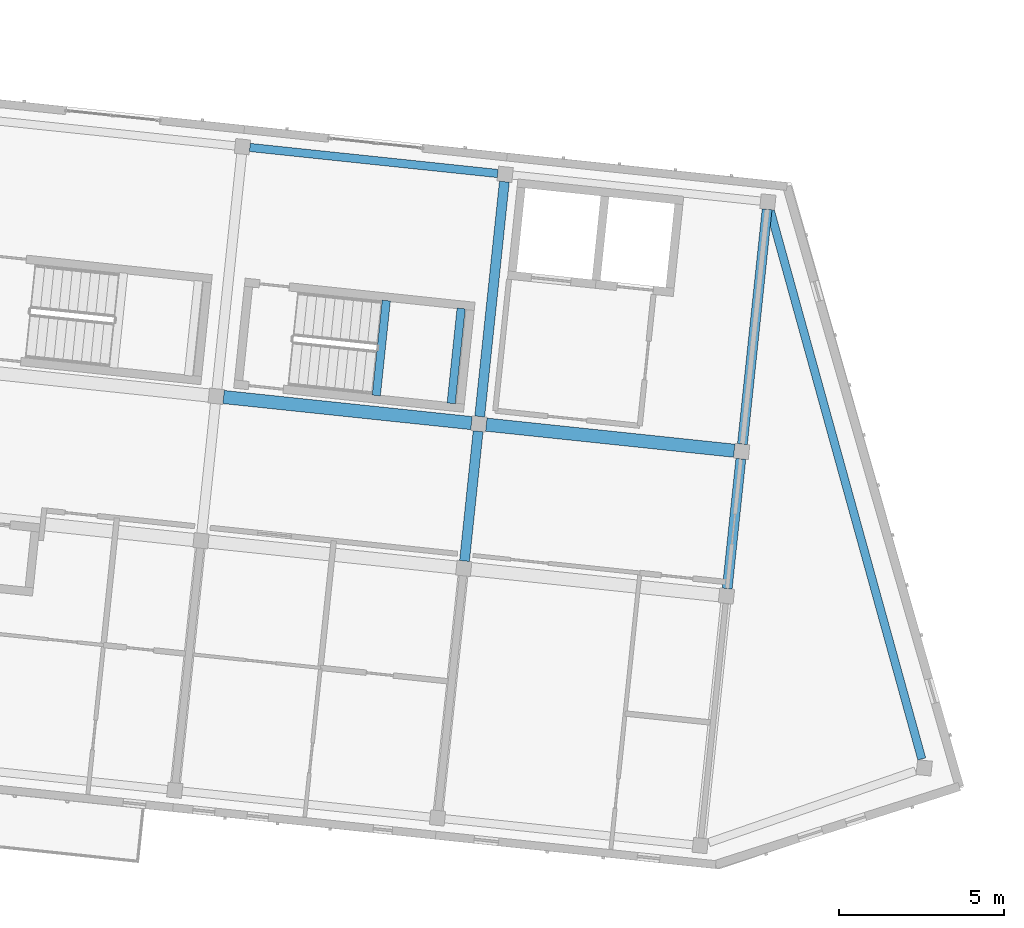
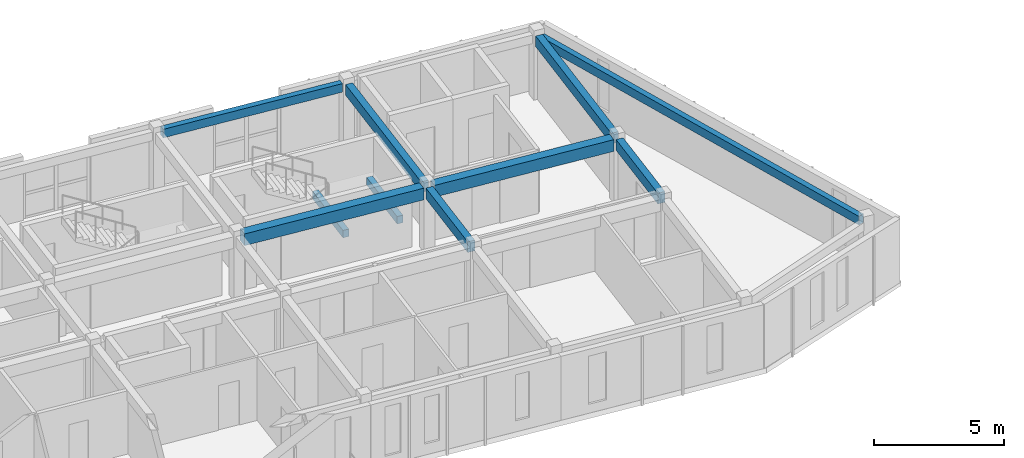
# One storey, part 15 of 64: 10 beams.
"""IFC4 building model written with IfcOpenShell, lengths in metres."""

import ifcopenshell
import ifcopenshell.guid

model = None  # the IFC model being written
_history = None  # IfcOwnerHistory: only IFC2X3 demands one
_inside = {}  # id of a spatial element -> (the spatial element, [elements in it])
_under = {}  # id of a project, library or spatial element -> (it, [spatial elements below it])
_declared = {}  # id of a project -> (the project, [libraries it declares])
_typed = {}  # id of a type object -> (the type object, [elements of that type])
_made_of = {}  # id of a material, layer set ... -> (it, [elements and type objects made of it])


def new_model(schema):
    """Start an empty IFC model of exactly this schema.

    Asked for "IFC4X3", IfcOpenShell would pick the latest addendum, in which some entities
    have other attributes; the version numbers below select the first issue.
    IFC2X3 requires an IfcOwnerHistory on every rooted entity: one is made here for all.
    """
    global model, _history
    if schema == "IFC4X3":
        model = ifcopenshell.file(schema_version=(4, 3, 0, 0))
    else:
        model = ifcopenshell.file(schema=schema)
    _inside.clear()
    _under.clear()
    _declared.clear()
    _typed.clear()
    _made_of.clear()
    _history = None
    if model.schema == "IFC2X3":
        org = make("IfcOrganization", Name="unknown")
        user = make(
            "IfcPersonAndOrganization",
            ThePerson=make("IfcPerson", FamilyName="unknown"),
            TheOrganization=org,
        )
        app = make(
            "IfcApplication",
            ApplicationDeveloper=org,
            Version="unknown",
            ApplicationFullName="unknown",
            ApplicationIdentifier="unknown",
        )
        _history = make(
            "IfcOwnerHistory",
            OwningUser=user,
            OwningApplication=app,
            ChangeAction="ADDED",
            CreationDate=0,
        )
    return model


def make(cls, **values):
    """One entity of the class cls with the attributes given. An attribute that is None is left unset."""
    return model.create_entity(
        cls, **{name: value for name, value in values.items() if value is not None}
    )


def rooted(cls, **values):
    """An entity with a GlobalId (a new one), such as an element, a storey or a relation."""
    return make(cls, GlobalId=ifcopenshell.guid.new(), OwnerHistory=_history, **values)


def si_unit(unit_type, name, prefix=None):
    """IfcSIUnit, for example si_unit("LENGTHUNIT", "METRE", prefix="MILLI")."""
    return make("IfcSIUnit", UnitType=unit_type, Prefix=prefix, Name=name)


def assignment(units):
    """IfcUnitAssignment: the units of a project."""
    return None if units is None else make("IfcUnitAssignment", Units=units)


def point(xyz):
    """IfcCartesianPoint."""
    return None if xyz is None else make("IfcCartesianPoint", Coordinates=xyz)


def direction(xyz):
    """IfcDirection."""
    return None if xyz is None else make("IfcDirection", DirectionRatios=xyz)


def frame(location, z_axis=None, x_axis=None):
    """IfcAxis2Placement3D, a coordinate frame: its origin and axes. An axis left out is left unset."""
    return make(
        "IfcAxis2Placement3D",
        Location=point(location),
        Axis=direction(z_axis),
        RefDirection=direction(x_axis),
    )


def frame_2d(location, x_axis=None):
    """IfcAxis2Placement2D, a coordinate frame in the plane: its origin and x axis."""
    return make(
        "IfcAxis2Placement2D", Location=point(location), RefDirection=direction(x_axis)
    )


def origin():
    """The frame at (0, 0, 0) with its axes left unset."""
    return frame((0.0, 0.0, 0.0))


def origin_2d():
    """The frame at (0, 0) in the plane with its x axis left unset."""
    return frame_2d((0.0, 0.0))


def place(relative_to, where):
    """IfcLocalPlacement: puts the frame where relative to a parent placement (None: the world)."""
    return make(
        "IfcLocalPlacement", PlacementRelTo=relative_to, RelativePlacement=where
    )


def context(
    kind, dimensions, precision=None, world=None, true_north=None, identifier=None
):
    """IfcGeometricRepresentationContext, for example the 3D "Model" context."""
    return make(
        "IfcGeometricRepresentationContext",
        ContextIdentifier=identifier,
        ContextType=kind,
        CoordinateSpaceDimension=dimensions,
        Precision=precision,
        WorldCoordinateSystem=world,
        TrueNorth=true_north,
    )


def subcontext(parent, identifier, kind, view, scale=None):
    """IfcGeometricRepresentationSubContext, for example "Body" below "Model"."""
    return make(
        "IfcGeometricRepresentationSubContext",
        ContextIdentifier=identifier,
        ContextType=kind,
        ParentContext=parent,
        TargetScale=scale,
        TargetView=view,
    )


def project(units=None, contexts=None):
    """IfcProject with its units and contexts."""
    return rooted(
        "IfcProject",
        Name="project",
        RepresentationContexts=contexts,
        UnitsInContext=assignment(units),
    )


def spatial(cls, under=None, at=None, **own):
    """A site, building, storey or space (cls), placed at a placement, below another one or the project."""
    s = rooted(cls, ObjectPlacement=at, **own)
    if under is not None:
        _under.setdefault(under.id(), (under, []))[1].append(s)
    return s


def profile(cls, at=None, kind="AREA", **sizes):
    """A parametric profile (cls). Its sizes go by their IFC names, for example OverallWidth=200.0."""
    return make(cls, ProfileType=kind, Position=at, **sizes)


def rectangle(**sizes):
    """IfcRectangleProfileDef."""
    return profile("IfcRectangleProfileDef", **sizes)


def extrude(swept, where, along, depth):
    """IfcExtrudedAreaSolid: the profile swept, set in the frame where, extruded along a direction by depth."""
    return make(
        "IfcExtrudedAreaSolid",
        SweptArea=swept,
        Position=where,
        ExtrudedDirection=direction(along),
        Depth=depth,
    )


def shape(context_of_items, identifier, shape_type, items):
    """IfcShapeRepresentation: the items that make up one representation, for example the "Body"."""
    return make(
        "IfcShapeRepresentation",
        ContextOfItems=context_of_items,
        RepresentationIdentifier=identifier,
        RepresentationType=shape_type,
        Items=items,
    )


def material(Name=None, Category=None):
    """IfcMaterial."""
    return make("IfcMaterial", Name=Name, Category=Category)


def material_profile(
    of_material, cross_section, Name=None, Category=None, Priority=None
):
    """IfcMaterialProfile: a cross section and its material."""
    return make(
        "IfcMaterialProfile",
        Name=Name,
        Material=of_material,
        Profile=cross_section,
        Priority=Priority,
        Category=Category,
    )


def profile_set(profiles, Name=None, composite=None):
    """IfcMaterialProfileSet."""
    return make(
        "IfcMaterialProfileSet",
        Name=Name,
        MaterialProfiles=profiles,
        CompositeProfile=composite,
    )


def made_of(thing, what):
    """Note that an element or type object is made of a material, layer set ...; save() writes the relation."""
    if what is not None:
        _made_of.setdefault(what.id(), (what, []))[1].append(thing)
    return thing


def type_object(cls, material=None, **own):
    """A type object (cls), such as IfcWallType, which elements share."""
    return made_of(rooted(cls, **own), material)


def element(
    cls,
    number,
    at=None,
    inside=None,
    cuts=None,
    type_object=None,
    material=None,
    context=None,
    identifier="Body",
    shape_type=None,
    held_by="IfcProductDefinitionShape",
    body=None,
    shapes=None,
    **own,
):
    """One element of the class cls, such as IfcWall. Its Tag is "e" and its number.

    at: its placement. inside: the storey or other place that contains it. cuts: it is an
    opening in that element (IfcRelVoidsElement). A single representation is given by context,
    identifier, shape_type and body (its items); several are given by shapes. held_by: the class
    of the entity that holds the representations. save() writes the other relations.
    """
    e = rooted(cls, Tag="e%d" % number, ObjectPlacement=at, **own)
    if body is not None:
        shapes = [shape(context, identifier, shape_type, body)]
    if shapes is not None:
        e.Representation = make(held_by, Representations=shapes)
    if inside is not None:
        _inside.setdefault(inside.id(), (inside, []))[1].append(e)
    if cuts is not None:
        rooted(
            "IfcRelVoidsElement", RelatingBuildingElement=cuts, RelatedOpeningElement=e
        )
    if type_object is not None:
        _typed.setdefault(type_object.id(), (type_object, []))[1].append(e)
    return made_of(e, material)


def aggregate(whole, parts):
    """IfcRelAggregates: a whole, such as a stair, and the parts it consists of."""
    return rooted("IfcRelAggregates", RelatingObject=whole, RelatedObjects=parts)


def save(model, path):
    """Write the relations noted so far, then the file.

    IfcRelAggregates (storeys below a building ...), IfcRelContainedInSpatialStructure (elements
    in a storey), IfcRelDefinesByType, IfcRelAssociatesMaterial and IfcRelDeclares: one each for
    every whole, place, type object, material and project.
    """
    for whole, parts in _under.values():
        aggregate(whole, parts)
    for where, things in _inside.values():
        rooted(
            "IfcRelContainedInSpatialStructure",
            RelatedElements=things,
            RelatingStructure=where,
        )
    for kind, things in _typed.values():
        rooted("IfcRelDefinesByType", RelatedObjects=things, RelatingType=kind)
    for what, things in _made_of.values():
        rooted("IfcRelAssociatesMaterial", RelatedObjects=things, RelatingMaterial=what)
    for by, libraries in _declared.values():
        rooted("IfcRelDeclares", RelatingContext=by, RelatedDefinitions=libraries)
    model.write(path)


model = new_model("IFC4")

# Units and contexts
model_context = context("Model", 3, precision=1e-05, world=origin(), true_north=direction((0.0, 1.0)))
body_context = subcontext(model_context, "Body", "Model", "MODEL_VIEW")
ifc_project = project(units=[si_unit("LENGTHUNIT", "METRE"), si_unit("AREAUNIT", "SQUARE_METRE"), si_unit("VOLUMEUNIT", "CUBIC_METRE"), si_unit("PLANEANGLEUNIT", "RADIAN"), si_unit("MASSUNIT", "GRAM", prefix="KILO")], contexts=[model_context])

# Site, building, storey
site_placement = place(None, origin())
site = spatial("IfcSite", under=ifc_project, at=site_placement, CompositionType="ELEMENT")
building_placement = place(site_placement, origin())
building = spatial("IfcBuilding", under=site, at=building_placement, Name="Kestramere Prow Commons", CompositionType="ELEMENT")
storey_placement = place(building_placement, frame((0.0, 0.0, 24.64990234375)))
storey = spatial("IfcBuildingStorey", under=building, at=storey_placement, Name="L07", CompositionType="ELEMENT", Elevation=24.64990234375)

# Beams
ifc_material_1 = material(Name="Precast concrete C40/50", Category="concrete")
ifc_material_profile_1 = material_profile(ifc_material_1, rectangle(XDim=0.39990234375, YDim=0.550048828125, at=origin_2d()), Name="PC-BM 400x550")
ifc_profile_set_1 = profile_set([ifc_material_profile_1], Name="Precast concrete C40/50")
beam_type_1 = type_object("IfcBeamType", Name="BM-B1 PC-BM 400x550", PredefinedType="BEAM", material=ifc_profile_set_1)
beam_1_placement = place(storey_placement, frame((143.302734375, 103.36572265625, 2.72509765625), z_axis=(0.994523864565, -0.104509725916, 0.0), x_axis=(0.104509725916, 0.994523864565, 0.0)))
element("IfcBeam", 1, at=beam_1_placement, inside=storey, type_object=beam_type_1, Name="Block B L07 Longitudinal Beam 3-5", PredefinedType="BEAM", context=body_context, shape_type="SweptSolid", body=[
    extrude(rectangle(XDim=0.39990234375, YDim=0.550048828125, at=origin_2d()), origin(), (0.0, 0.0, 1.0), 7.550048828125),
])
beam_2_placement = place(storey_placement, frame((151.259033203125, 102.529541015625, 2.72509765625), z_axis=(0.994523511366, -0.104513086937, 0.0), x_axis=(0.104513086937, 0.994523511366, 0.0)))
element("IfcBeam", 2, at=beam_2_placement, inside=storey, type_object=beam_type_1, Name="Block B L07 Longitudinal Beam 3-6", PredefinedType="BEAM", context=body_context, shape_type="SweptSolid", body=[
    extrude(rectangle(XDim=0.39990234375, YDim=0.550048828125, at=origin_2d()), origin(), (0.0, 0.0, 1.0), 7.5498046875),
])
ifc_material_2 = material(Name="Concrete C40/50", Category="concrete")
ifc_material_profile_2 = material_profile(ifc_material_2, rectangle(XDim=0.25, YDim=0.35009765625, at=origin_2d()), Name="PC-BM 250x350")
ifc_profile_set_2 = profile_set([ifc_material_profile_2], Name="Concrete C40/50")
beam_type_2 = type_object("IfcBeamType", Name="BM-ST-TRIM", PredefinedType="BEAM", material=ifc_profile_set_2)
for number, where, z_axis, x_axis, name in (
    (3, (147.927978515625, 103.41259765625, 1.25), (0.104579248847, 0.994516556278, 0.0), (-0.994516556278, 0.104579248847, 0.0), "ST-B2 L07 Landing Trimmer Beam 1A"),
    (4, (150.195556640625, 103.17431640625, 1.25), (0.104495697268, 0.994525338668, 0.0), (-0.994525338668, 0.104495697268, 0.0), "ST-B2 L07 Landing Trimmer Beam 1B"),
):
    element("IfcBeam", number, at=place(storey_placement, frame(where, z_axis=z_axis, x_axis=x_axis)), inside=storey, type_object=beam_type_2, Name=name, PredefinedType="BEAM", context=body_context, shape_type="SweptSolid", body=[
        extrude(rectangle(XDim=0.25, YDim=0.35009765625, at=origin_2d()), origin(), (0.0, 0.0, 1.0), 2.89013671875),
    ])
ifc_material_profile_3 = material_profile(ifc_material_1, rectangle(XDim=0.300048828125, YDim=0.5, at=origin_2d()), Name="PC-BM 300x500")
ifc_profile_set_3 = profile_set([ifc_material_profile_3], Name="Precast concrete C40/50")
beam_type_3 = type_object("IfcBeamType", Name="BM-TIE-01 PC-BM 300x500", PredefinedType="BEAM", material=ifc_profile_set_3)
beam_3_placement = place(storey_placement, frame((150.598876953125, 98.40087890625, 2.75), z_axis=(0.10451426563, 0.994523387498, 0.0), x_axis=(-0.994523387498, 0.10451426563, 0.0)))
element("IfcBeam", 5, at=beam_3_placement, inside=storey, type_object=beam_type_3, Name="Block B L07 Transverse Beam 6-2", PredefinedType="BEAM", context=body_context, shape_type="SweptSolid", body=[
    extrude(rectangle(XDim=0.300048828125, YDim=0.5, at=origin_2d()), origin(), (0.0, 0.0, 1.0), 3.9501953125),
])
beam_4_placement = place(storey_placement, frame((151.058837890625, 102.77685546875, 2.75), z_axis=(0.104519481265, 0.994522839374, 0.0), x_axis=(-0.994522839374, 0.104519481265, 0.0)))
element("IfcBeam", 6, at=beam_4_placement, inside=storey, type_object=beam_type_3, Name="Block B L07 Transverse Beam 6-3", PredefinedType="BEAM", context=body_context, shape_type="SweptSolid", body=[
    extrude(rectangle(XDim=0.300048828125, YDim=0.5, at=origin_2d()), origin(), (0.0, 0.0, 1.0), 7.14990234375),
])
beam_5_placement = place(storey_placement, frame((158.554931640625, 97.564697265625, 2.75), z_axis=(0.10451426563, 0.994523387498, 0.0), x_axis=(-0.994523387498, 0.10451426563, 0.0)))
element("IfcBeam", 7, at=beam_5_placement, inside=storey, type_object=beam_type_3, Name="Block B L07 Transverse Beam 7-2", PredefinedType="BEAM", context=body_context, shape_type="SweptSolid", body=[
    extrude(rectangle(XDim=0.300048828125, YDim=0.5, at=origin_2d()), origin(), (0.0, 0.0, 1.0), 3.9501953125),
])
beam_6_placement = place(storey_placement, frame((159.014892578125, 101.940673828125, 2.75), z_axis=(0.104519481265, 0.994522839374, 0.0), x_axis=(-0.994522839374, 0.104519481265, 0.0)))
element("IfcBeam", 8, at=beam_6_placement, inside=storey, type_object=beam_type_3, Name="Block B L07 Transverse Beam 7-3", PredefinedType="BEAM", context=body_context, shape_type="SweptSolid", body=[
    extrude(rectangle(XDim=0.300048828125, YDim=0.5, at=origin_2d()), origin(), (0.0, 0.0, 1.0), 7.14990234375),
])
ifc_material_profile_4 = material_profile(ifc_material_1, rectangle(XDim=0.25, YDim=0.39990234375, at=origin_2d()), Name="PC-SP 250x400")
ifc_profile_set_4 = profile_set([ifc_material_profile_4], Name="Precast concrete C40/50")
beam_type_4 = type_object("IfcBeamType", Name="SP-EXT-01 PC-SP 250x400", PredefinedType="SPANDREL", material=ifc_profile_set_4)
beam_7_placement = place(storey_placement, frame((159.8603515625, 109.00537109375, 2.800048828125), z_axis=(0.266276973363, -0.963896557446, 0.0), x_axis=(0.963896557446, 0.266276973363, 0.0)))
element("IfcBeam", 9, at=beam_7_placement, inside=storey, type_object=beam_type_4, Name="Block B L07 Prow Facet Beam N", PredefinedType="SPANDREL", context=body_context, shape_type="SweptSolid", body=[
    extrude(rectangle(XDim=0.25, YDim=0.39990234375, at=origin_2d()), origin(), (0.0, 0.0, 1.0), 17.220703125),
])
beam_8_placement = place(storey_placement, frame((144.09716796875, 110.92431640625, 2.800048828125), z_axis=(0.994520503149, -0.104541708502, 0.0), x_axis=(0.104541708502, 0.994520503149, 0.0)))
element("IfcBeam", 10, at=beam_8_placement, inside=storey, type_object=beam_type_4, Name="Block B L07 Longitudinal Beam 4-5", PredefinedType="SPANDREL", context=body_context, shape_type="SweptSolid", body=[
    extrude(rectangle(XDim=0.25, YDim=0.39990234375, at=origin_2d()), origin(), (0.0, 0.0, 1.0), 7.550048828125),
])

save(model, "model.ifc")
